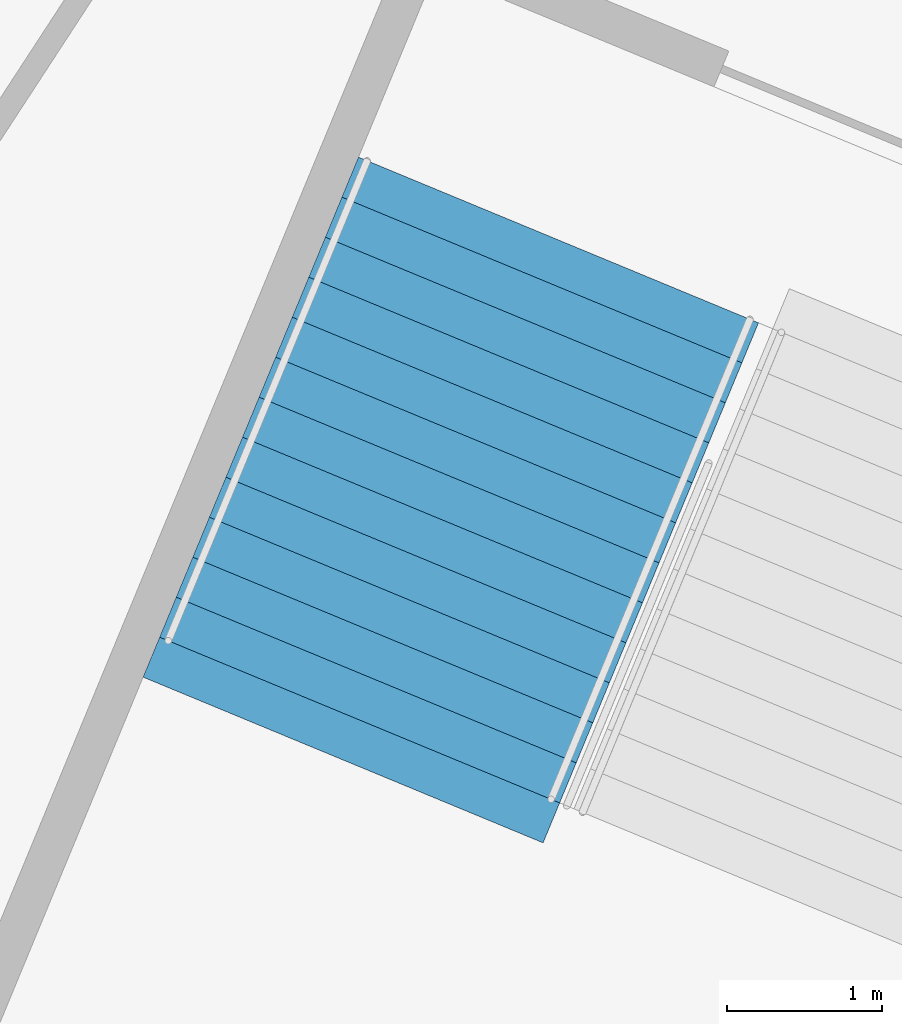
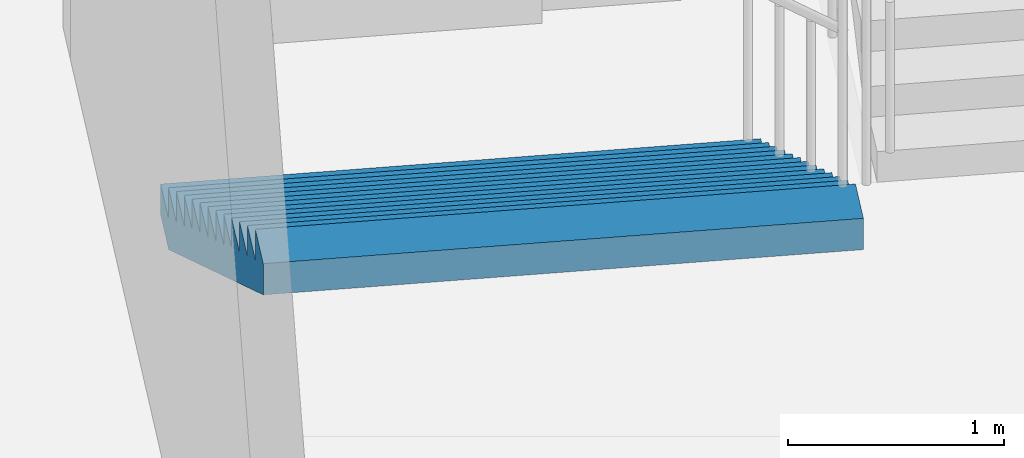
# One storey, part 45 of 175: 1 stair flight, 1 element without a shape of its own.
"""IFC4 building model written with IfcOpenShell, lengths in metres."""

from ifc_helpers import new_model, si_unit, direction, frame, origin, place, context, subcontext, project, spatial, faceted_brep, material, type_object, element, aggregate, save


model = new_model("IFC4")

# Units and contexts
model_context = context("Model", 3, precision=1e-05, world=origin(), true_north=direction((0.0, 1.0)))
body_context = subcontext(model_context, "Body", "Model", "MODEL_VIEW")
ifc_project = project(units=[si_unit("LENGTHUNIT", "METRE"), si_unit("AREAUNIT", "SQUARE_METRE"), si_unit("VOLUMEUNIT", "CUBIC_METRE"), si_unit("PLANEANGLEUNIT", "RADIAN"), si_unit("MASSUNIT", "GRAM", prefix="KILO")], contexts=[model_context])

# Site, building, storey
site_placement = place(None, origin())
site = spatial("IfcSite", under=ifc_project, at=site_placement, CompositionType="ELEMENT")
building_placement = place(site_placement, origin())
building = spatial("IfcBuilding", under=site, at=building_placement, Name="Ogive Plaza Stadium", CompositionType="ELEMENT")
storey_placement = place(building_placement, origin())
storey = spatial("IfcBuildingStorey", under=building, at=storey_placement, Name="L00", CompositionType="ELEMENT", Elevation=0.0)

# Stair, stair flight
ifc_material_1 = material(Name="Concrete C40/50", Category="concrete")
stair_type = type_object("IfcStairType", Name="Exit stair", PredefinedType="STRAIGHT_RUN_STAIR", material=ifc_material_1)
stair_placement = place(storey_placement, origin())
stair = element("IfcStair", 1, at=stair_placement, inside=storey, type_object=stair_type, Name="Exit stair ST18A L00 to L01", PredefinedType="STRAIGHT_RUN_STAIR")
ifc_material_2 = material(Name="Concrete C40/50", Category="concrete")
stair_flight_type = type_object("IfcStairFlightType", Name="Exit stair flight", PredefinedType="STRAIGHT", material=ifc_material_2)
stair_flight_placement = place(storey_placement, frame((-54.294921875, -89.932861328125, 0.0), z_axis=(0.0, 0.0, 1.0), x_axis=(-0.382683432365, -0.923879532511, 0.0)))
stair_flight = element("IfcStairFlight", 2, at=stair_flight_placement, type_object=stair_flight_type, Name="ST18A flight 1", NumberOfRisers=13, NumberOfTreads=12, PredefinedType="STRAIGHT", RiserHeight=0.173076923, TreadLength=0.28, context=body_context, shape_type="Brep", body=[
    faceted_brep([(0.28515625, -1.39990234375, 0.0), (3.639892578125, -1.39990234375, 2.07373046875), (3.639892578125, -1.39990234375, 2.25), (3.360107421875, -1.39990234375, 2.25), (3.360107421875, -1.39990234375, 2.076904296875), (3.080078125, -1.39990234375, 2.076904296875), (3.080078125, -1.39990234375, 1.90380859375), (2.800048828125, -1.39990234375, 1.90380859375), (2.800048828125, -1.39990234375, 1.730712890625), (2.52001953125, -1.39990234375, 1.730712890625), (2.52001953125, -1.39990234375, 1.5576171875), (2.239990234375, -1.39990234375, 1.5576171875), (2.239990234375, -1.39990234375, 1.384521484375), (1.9599609375, -1.39990234375, 1.384521484375), (1.9599609375, -1.39990234375, 1.21142578125), (1.679931640625, -1.39990234375, 1.21142578125), (1.679931640625, -1.39990234375, 1.03857421875), (1.39990234375, -1.39990234375, 1.03857421875), (1.39990234375, -1.39990234375, 0.865478515625), (1.1201171875, -1.39990234375, 0.865478515625), (1.1201171875, -1.39990234375, 0.6923828125), (0.840087890625, -1.39990234375, 0.6923828125), (0.840087890625, -1.39990234375, 0.519287109375), (0.56005859375, -1.39990234375, 0.519287109375), (0.56005859375, -1.39990234375, 0.34619140625), (0.280029296875, -1.39990234375, 0.34619140625), (0.280029296875, -1.39990234375, 0.173095703125), (0.0, -1.39990234375, 0.173095703125), (0.0, -1.39990234375, 0.0), (0.0, 1.39990234375, 0.0), (0.0, 1.39990234375, 0.173095703125), (0.280029296875, 1.39990234375, 0.173095703125), (0.280029296875, 1.39990234375, 0.34619140625), (0.56005859375, 1.39990234375, 0.34619140625), (0.56005859375, 1.39990234375, 0.519287109375), (0.840087890625, 1.39990234375, 0.519287109375), (0.840087890625, 1.39990234375, 0.6923828125), (1.1201171875, 1.39990234375, 0.6923828125), (1.1201171875, 1.39990234375, 0.865478515625), (1.39990234375, 1.39990234375, 0.865478515625), (1.39990234375, 1.39990234375, 1.03857421875), (1.679931640625, 1.39990234375, 1.03857421875), (1.679931640625, 1.39990234375, 1.21142578125), (1.9599609375, 1.39990234375, 1.21142578125), (1.9599609375, 1.39990234375, 1.384521484375), (2.239990234375, 1.39990234375, 1.384521484375), (2.239990234375, 1.39990234375, 1.5576171875), (2.52001953125, 1.39990234375, 1.5576171875), (2.52001953125, 1.39990234375, 1.730712890625), (2.800048828125, 1.39990234375, 1.730712890625), (2.800048828125, 1.39990234375, 1.90380859375), (3.080078125, 1.39990234375, 1.90380859375), (3.080078125, 1.39990234375, 2.076904296875), (3.360107421875, 1.39990234375, 2.076904296875), (3.360107421875, 1.39990234375, 2.25), (3.639892578125, 1.39990234375, 2.25), (3.639892578125, 1.39990234375, 2.07373046875), (0.28515625, 1.39990234375, 0.0), (0.28515625, -1.0888671875, 0.0), (3.639892578125, -1.0888671875, 2.07373046875), (0.28515625, -0.77783203125, 0.0), (3.639892578125, -0.77783203125, 2.07373046875), (0.28515625, -0.466796875, 0.0), (3.639892578125, -0.466796875, 2.07373046875), (0.28515625, -0.155517578125, 0.0), (3.639892578125, -0.155517578125, 2.07373046875), (0.28515625, 0.155517578125, 0.0), (3.639892578125, 0.155517578125, 2.07373046875), (0.28515625, 0.466796875, 0.0), (3.639892578125, 0.466796875, 2.07373046875), (0.28515625, 0.77783203125, 0.0), (3.639892578125, 0.77783203125, 2.07373046875), (0.28515625, 1.0888671875, 0.0), (3.639892578125, 1.0888671875, 2.07373046875), (3.639892578125, -1.0888671875, 2.25), (3.639892578125, -0.77783203125, 2.25), (3.639892578125, -0.466796875, 2.25), (3.639892578125, -0.155517578125, 2.25), (3.639892578125, 0.155517578125, 2.25), (3.639892578125, 0.466796875, 2.25), (3.639892578125, 0.77783203125, 2.25), (3.639892578125, 1.0888671875, 2.25), (3.360107421875, -1.0888671875, 2.25), (3.360107421875, -0.77783203125, 2.25), (3.360107421875, -0.466796875, 2.25), (3.360107421875, -0.155517578125, 2.25), (3.360107421875, 0.155517578125, 2.25), (3.360107421875, 0.466796875, 2.25), (3.360107421875, 0.77783203125, 2.25), (3.360107421875, 1.0888671875, 2.25), (3.360107421875, -1.0888671875, 2.076904296875), (3.360107421875, -0.77783203125, 2.076904296875), (3.360107421875, -0.466796875, 2.076904296875), (3.360107421875, -0.155517578125, 2.076904296875), (3.360107421875, 0.155517578125, 2.076904296875), (3.360107421875, 0.466796875, 2.076904296875), (3.360107421875, 0.77783203125, 2.076904296875), (3.360107421875, 1.0888671875, 2.076904296875), (3.080078125, -1.0888671875, 2.076904296875), (3.080078125, -0.77783203125, 2.076904296875), (3.080078125, -0.466796875, 2.076904296875), (3.080078125, -0.155517578125, 2.076904296875), (3.080078125, 0.155517578125, 2.076904296875), (3.080078125, 0.466796875, 2.076904296875), (3.080078125, 0.77783203125, 2.076904296875), (3.080078125, 1.0888671875, 2.076904296875), (3.080078125, -1.0888671875, 1.90380859375), (3.080078125, -0.77783203125, 1.90380859375), (3.080078125, -0.466796875, 1.90380859375), (3.080078125, -0.155517578125, 1.90380859375), (3.080078125, 0.155517578125, 1.90380859375), (3.080078125, 0.466796875, 1.90380859375), (3.080078125, 0.77783203125, 1.90380859375), (3.080078125, 1.0888671875, 1.90380859375), (2.800048828125, -1.0888671875, 1.90380859375), (2.800048828125, -0.77783203125, 1.90380859375), (2.800048828125, -0.466796875, 1.90380859375), (2.800048828125, -0.155517578125, 1.90380859375), (2.800048828125, 0.155517578125, 1.90380859375), (2.800048828125, 0.466796875, 1.90380859375), (2.800048828125, 0.77783203125, 1.90380859375), (2.800048828125, 1.0888671875, 1.90380859375), (2.800048828125, -1.0888671875, 1.730712890625), (2.800048828125, -0.77783203125, 1.730712890625), (2.800048828125, -0.466796875, 1.730712890625), (2.800048828125, -0.155517578125, 1.730712890625), (2.800048828125, 0.155517578125, 1.730712890625), (2.800048828125, 0.466796875, 1.730712890625), (2.800048828125, 0.77783203125, 1.730712890625), (2.800048828125, 1.0888671875, 1.730712890625), (2.52001953125, -1.0888671875, 1.730712890625), (2.52001953125, -0.77783203125, 1.730712890625), (2.52001953125, -0.466796875, 1.730712890625), (2.52001953125, -0.155517578125, 1.730712890625), (2.52001953125, 0.155517578125, 1.730712890625), (2.52001953125, 0.466796875, 1.730712890625), (2.52001953125, 0.77783203125, 1.730712890625), (2.52001953125, 1.0888671875, 1.730712890625), (2.52001953125, -1.0888671875, 1.5576171875), (2.52001953125, -0.77783203125, 1.5576171875), (2.52001953125, -0.466796875, 1.5576171875), (2.52001953125, -0.155517578125, 1.5576171875), (2.52001953125, 0.155517578125, 1.5576171875), (2.52001953125, 0.466796875, 1.5576171875), (2.52001953125, 0.77783203125, 1.5576171875), (2.52001953125, 1.0888671875, 1.5576171875), (2.239990234375, -1.0888671875, 1.5576171875), (2.239990234375, -0.77783203125, 1.5576171875), (2.239990234375, -0.466796875, 1.5576171875), (2.239990234375, -0.155517578125, 1.5576171875), (2.239990234375, 0.155517578125, 1.5576171875), (2.239990234375, 0.466796875, 1.5576171875), (2.239990234375, 0.77783203125, 1.5576171875), (2.239990234375, 1.0888671875, 1.5576171875), (2.239990234375, -1.0888671875, 1.384521484375), (2.239990234375, -0.77783203125, 1.384521484375), (2.239990234375, -0.466796875, 1.384521484375), (2.239990234375, -0.155517578125, 1.384521484375), (2.239990234375, 0.155517578125, 1.384521484375), (2.239990234375, 0.466796875, 1.384521484375), (2.239990234375, 0.77783203125, 1.384521484375), (2.239990234375, 1.0888671875, 1.384521484375), (1.9599609375, -1.0888671875, 1.384521484375), (1.9599609375, -0.77783203125, 1.384521484375), (1.9599609375, -0.466796875, 1.384521484375), (1.9599609375, -0.155517578125, 1.384521484375), (1.9599609375, 0.155517578125, 1.384521484375), (1.9599609375, 0.466796875, 1.384521484375), (1.9599609375, 0.77783203125, 1.384521484375), (1.9599609375, 1.0888671875, 1.384521484375), (1.9599609375, -1.0888671875, 1.21142578125), (1.9599609375, -0.77783203125, 1.21142578125), (1.9599609375, -0.466796875, 1.21142578125), (1.9599609375, -0.155517578125, 1.21142578125), (1.9599609375, 0.155517578125, 1.21142578125), (1.9599609375, 0.466796875, 1.21142578125), (1.9599609375, 0.77783203125, 1.21142578125), (1.9599609375, 1.0888671875, 1.21142578125), (1.679931640625, -1.0888671875, 1.21142578125), (1.679931640625, -0.77783203125, 1.21142578125), (1.679931640625, -0.466796875, 1.21142578125), (1.679931640625, -0.155517578125, 1.21142578125), (1.679931640625, 0.155517578125, 1.21142578125), (1.679931640625, 0.466796875, 1.21142578125), (1.679931640625, 0.77783203125, 1.21142578125), (1.679931640625, 1.0888671875, 1.21142578125), (1.679931640625, -1.0888671875, 1.03857421875), (1.679931640625, -0.77783203125, 1.03857421875), (1.679931640625, -0.466796875, 1.03857421875), (1.679931640625, -0.155517578125, 1.03857421875), (1.679931640625, 0.155517578125, 1.03857421875), (1.679931640625, 0.466796875, 1.03857421875), (1.679931640625, 0.77783203125, 1.03857421875), (1.679931640625, 1.0888671875, 1.03857421875), (1.39990234375, -1.0888671875, 1.03857421875), (1.39990234375, -0.77783203125, 1.03857421875), (1.39990234375, -0.466796875, 1.03857421875), (1.39990234375, -0.155517578125, 1.03857421875), (1.39990234375, 0.155517578125, 1.03857421875), (1.39990234375, 0.466796875, 1.03857421875), (1.39990234375, 0.77783203125, 1.03857421875), (1.39990234375, 1.0888671875, 1.03857421875), (1.39990234375, -1.0888671875, 0.865478515625), (1.39990234375, -0.77783203125, 0.865478515625), (1.39990234375, -0.466796875, 0.865478515625), (1.39990234375, -0.155517578125, 0.865478515625), (1.39990234375, 0.155517578125, 0.865478515625), (1.39990234375, 0.466796875, 0.865478515625), (1.39990234375, 0.77783203125, 0.865478515625), (1.39990234375, 1.0888671875, 0.865478515625), (1.1201171875, -1.0888671875, 0.865478515625), (1.1201171875, -0.77783203125, 0.865478515625), (1.1201171875, -0.466796875, 0.865478515625), (1.1201171875, -0.155517578125, 0.865478515625), (1.1201171875, 0.155517578125, 0.865478515625), (1.1201171875, 0.466796875, 0.865478515625), (1.1201171875, 0.77783203125, 0.865478515625), (1.1201171875, 1.0888671875, 0.865478515625), (1.1201171875, -1.0888671875, 0.6923828125), (1.1201171875, -0.77783203125, 0.6923828125), (1.1201171875, -0.466796875, 0.6923828125), (1.1201171875, -0.155517578125, 0.6923828125), (1.1201171875, 0.155517578125, 0.6923828125), (1.1201171875, 0.466796875, 0.6923828125), (1.1201171875, 0.77783203125, 0.6923828125), (1.1201171875, 1.0888671875, 0.6923828125), (0.840087890625, -1.0888671875, 0.6923828125), (0.840087890625, -0.77783203125, 0.6923828125), (0.840087890625, -0.466796875, 0.6923828125), (0.840087890625, -0.155517578125, 0.6923828125), (0.840087890625, 0.155517578125, 0.6923828125), (0.840087890625, 0.466796875, 0.6923828125), (0.840087890625, 0.77783203125, 0.6923828125), (0.840087890625, 1.0888671875, 0.6923828125), (0.840087890625, -1.0888671875, 0.519287109375), (0.840087890625, -0.77783203125, 0.519287109375), (0.840087890625, -0.466796875, 0.519287109375), (0.840087890625, -0.155517578125, 0.519287109375), (0.840087890625, 0.155517578125, 0.519287109375), (0.840087890625, 0.466796875, 0.519287109375), (0.840087890625, 0.77783203125, 0.519287109375), (0.840087890625, 1.0888671875, 0.519287109375), (0.56005859375, -1.0888671875, 0.519287109375), (0.56005859375, -0.77783203125, 0.519287109375), (0.56005859375, -0.466796875, 0.519287109375), (0.56005859375, -0.155517578125, 0.519287109375), (0.56005859375, 0.155517578125, 0.519287109375), (0.56005859375, 0.466796875, 0.519287109375), (0.56005859375, 0.77783203125, 0.519287109375), (0.56005859375, 1.0888671875, 0.519287109375), (0.56005859375, -1.0888671875, 0.34619140625), (0.56005859375, -0.77783203125, 0.34619140625), (0.56005859375, -0.466796875, 0.34619140625), (0.56005859375, -0.155517578125, 0.34619140625), (0.56005859375, 0.155517578125, 0.34619140625), (0.56005859375, 0.466796875, 0.34619140625), (0.56005859375, 0.77783203125, 0.34619140625), (0.56005859375, 1.0888671875, 0.34619140625), (0.280029296875, -1.0888671875, 0.34619140625), (0.280029296875, -0.77783203125, 0.34619140625), (0.280029296875, -0.466796875, 0.34619140625), (0.280029296875, -0.155517578125, 0.34619140625), (0.280029296875, 0.155517578125, 0.34619140625), (0.280029296875, 0.466796875, 0.34619140625), (0.280029296875, 0.77783203125, 0.34619140625), (0.280029296875, 1.0888671875, 0.34619140625), (0.280029296875, -1.0888671875, 0.173095703125), (0.280029296875, -0.77783203125, 0.173095703125), (0.280029296875, -0.466796875, 0.173095703125), (0.280029296875, -0.155517578125, 0.173095703125), (0.280029296875, 0.155517578125, 0.173095703125), (0.280029296875, 0.466796875, 0.173095703125), (0.280029296875, 0.77783203125, 0.173095703125), (0.280029296875, 1.0888671875, 0.173095703125), (0.0, -1.0888671875, 0.173095703125), (0.0, -0.77783203125, 0.173095703125), (0.0, -0.466796875, 0.173095703125), (0.0, -0.155517578125, 0.173095703125), (0.0, 0.155517578125, 0.173095703125), (0.0, 0.466796875, 0.173095703125), (0.0, 0.77783203125, 0.173095703125), (0.0, 1.0888671875, 0.173095703125), (0.0, -1.0888671875, 0.0), (0.0, -0.77783203125, 0.0), (0.0, -0.466796875, 0.0), (0.0, -0.155517578125, 0.0), (0.0, 0.155517578125, 0.0), (0.0, 0.466796875, 0.0), (0.0, 0.77783203125, 0.0), (0.0, 1.0888671875, 0.0)], [[[0, 1, 2, 3, 4, 5, 6, 7, 8, 9, 10, 11, 12, 13, 14, 15, 16, 17, 18, 19, 20, 21, 22, 23, 24, 25, 26, 27, 28]], [[29, 30, 31, 32, 33, 34, 35, 36, 37, 38, 39, 40, 41, 42, 43, 44, 45, 46, 47, 48, 49, 50, 51, 52, 53, 54, 55, 56, 57]], [[0, 58, 59, 1]], [[58, 60, 61, 59]], [[60, 62, 63, 61]], [[62, 64, 65, 63]], [[64, 66, 67, 65]], [[66, 68, 69, 67]], [[68, 70, 71, 69]], [[70, 72, 73, 71]], [[72, 57, 56, 73]], [[1, 59, 74, 2]], [[59, 61, 75, 74]], [[61, 63, 76, 75]], [[63, 65, 77, 76]], [[65, 67, 78, 77]], [[67, 69, 79, 78]], [[69, 71, 80, 79]], [[71, 73, 81, 80]], [[73, 56, 55, 81]], [[2, 74, 82, 3]], [[74, 75, 83, 82]], [[75, 76, 84, 83]], [[76, 77, 85, 84]], [[77, 78, 86, 85]], [[78, 79, 87, 86]], [[79, 80, 88, 87]], [[80, 81, 89, 88]], [[81, 55, 54, 89]], [[3, 82, 90, 4]], [[82, 83, 91, 90]], [[83, 84, 92, 91]], [[84, 85, 93, 92]], [[85, 86, 94, 93]], [[86, 87, 95, 94]], [[87, 88, 96, 95]], [[88, 89, 97, 96]], [[89, 54, 53, 97]], [[4, 90, 98, 5]], [[90, 91, 99, 98]], [[91, 92, 100, 99]], [[92, 93, 101, 100]], [[93, 94, 102, 101]], [[94, 95, 103, 102]], [[95, 96, 104, 103]], [[96, 97, 105, 104]], [[97, 53, 52, 105]], [[5, 98, 106, 6]], [[98, 99, 107, 106]], [[99, 100, 108, 107]], [[100, 101, 109, 108]], [[101, 102, 110, 109]], [[102, 103, 111, 110]], [[103, 104, 112, 111]], [[104, 105, 113, 112]], [[105, 52, 51, 113]], [[6, 106, 114, 7]], [[106, 107, 115, 114]], [[107, 108, 116, 115]], [[108, 109, 117, 116]], [[109, 110, 118, 117]], [[110, 111, 119, 118]], [[111, 112, 120, 119]], [[112, 113, 121, 120]], [[113, 51, 50, 121]], [[7, 114, 122, 8]], [[114, 115, 123, 122]], [[115, 116, 124, 123]], [[116, 117, 125, 124]], [[117, 118, 126, 125]], [[118, 119, 127, 126]], [[119, 120, 128, 127]], [[120, 121, 129, 128]], [[121, 50, 49, 129]], [[8, 122, 130, 9]], [[122, 123, 131, 130]], [[123, 124, 132, 131]], [[124, 125, 133, 132]], [[125, 126, 134, 133]], [[126, 127, 135, 134]], [[127, 128, 136, 135]], [[128, 129, 137, 136]], [[129, 49, 48, 137]], [[9, 130, 138, 10]], [[130, 131, 139, 138]], [[131, 132, 140, 139]], [[132, 133, 141, 140]], [[133, 134, 142, 141]], [[134, 135, 143, 142]], [[135, 136, 144, 143]], [[136, 137, 145, 144]], [[137, 48, 47, 145]], [[10, 138, 146, 11]], [[138, 139, 147, 146]], [[139, 140, 148, 147]], [[140, 141, 149, 148]], [[141, 142, 150, 149]], [[142, 143, 151, 150]], [[143, 144, 152, 151]], [[144, 145, 153, 152]], [[145, 47, 46, 153]], [[11, 146, 154, 12]], [[146, 147, 155, 154]], [[147, 148, 156, 155]], [[148, 149, 157, 156]], [[149, 150, 158, 157]], [[150, 151, 159, 158]], [[151, 152, 160, 159]], [[152, 153, 161, 160]], [[153, 46, 45, 161]], [[12, 154, 162, 13]], [[154, 155, 163, 162]], [[155, 156, 164, 163]], [[156, 157, 165, 164]], [[157, 158, 166, 165]], [[158, 159, 167, 166]], [[159, 160, 168, 167]], [[160, 161, 169, 168]], [[161, 45, 44, 169]], [[13, 162, 170, 14]], [[162, 163, 171, 170]], [[163, 164, 172, 171]], [[164, 165, 173, 172]], [[165, 166, 174, 173]], [[166, 167, 175, 174]], [[167, 168, 176, 175]], [[168, 169, 177, 176]], [[169, 44, 43, 177]], [[14, 170, 178, 15]], [[170, 171, 179, 178]], [[171, 172, 180, 179]], [[172, 173, 181, 180]], [[173, 174, 182, 181]], [[174, 175, 183, 182]], [[175, 176, 184, 183]], [[176, 177, 185, 184]], [[177, 43, 42, 185]], [[15, 178, 186, 16]], [[178, 179, 187, 186]], [[179, 180, 188, 187]], [[180, 181, 189, 188]], [[181, 182, 190, 189]], [[182, 183, 191, 190]], [[183, 184, 192, 191]], [[184, 185, 193, 192]], [[185, 42, 41, 193]], [[16, 186, 194, 17]], [[186, 187, 195, 194]], [[187, 188, 196, 195]], [[188, 189, 197, 196]], [[189, 190, 198, 197]], [[190, 191, 199, 198]], [[191, 192, 200, 199]], [[192, 193, 201, 200]], [[193, 41, 40, 201]], [[17, 194, 202, 18]], [[194, 195, 203, 202]], [[195, 196, 204, 203]], [[196, 197, 205, 204]], [[197, 198, 206, 205]], [[198, 199, 207, 206]], [[199, 200, 208, 207]], [[200, 201, 209, 208]], [[201, 40, 39, 209]], [[18, 202, 210, 19]], [[202, 203, 211, 210]], [[203, 204, 212, 211]], [[204, 205, 213, 212]], [[205, 206, 214, 213]], [[206, 207, 215, 214]], [[207, 208, 216, 215]], [[208, 209, 217, 216]], [[209, 39, 38, 217]], [[19, 210, 218, 20]], [[210, 211, 219, 218]], [[211, 212, 220, 219]], [[212, 213, 221, 220]], [[213, 214, 222, 221]], [[214, 215, 223, 222]], [[215, 216, 224, 223]], [[216, 217, 225, 224]], [[217, 38, 37, 225]], [[20, 218, 226, 21]], [[218, 219, 227, 226]], [[219, 220, 228, 227]], [[220, 221, 229, 228]], [[221, 222, 230, 229]], [[222, 223, 231, 230]], [[223, 224, 232, 231]], [[224, 225, 233, 232]], [[225, 37, 36, 233]], [[21, 226, 234, 22]], [[226, 227, 235, 234]], [[227, 228, 236, 235]], [[228, 229, 237, 236]], [[229, 230, 238, 237]], [[230, 231, 239, 238]], [[231, 232, 240, 239]], [[232, 233, 241, 240]], [[233, 36, 35, 241]], [[22, 234, 242, 23]], [[234, 235, 243, 242]], [[235, 236, 244, 243]], [[236, 237, 245, 244]], [[237, 238, 246, 245]], [[238, 239, 247, 246]], [[239, 240, 248, 247]], [[240, 241, 249, 248]], [[241, 35, 34, 249]], [[23, 242, 250, 24]], [[242, 243, 251, 250]], [[243, 244, 252, 251]], [[244, 245, 253, 252]], [[245, 246, 254, 253]], [[246, 247, 255, 254]], [[247, 248, 256, 255]], [[248, 249, 257, 256]], [[249, 34, 33, 257]], [[24, 250, 258, 25]], [[250, 251, 259, 258]], [[251, 252, 260, 259]], [[252, 253, 261, 260]], [[253, 254, 262, 261]], [[254, 255, 263, 262]], [[255, 256, 264, 263]], [[256, 257, 265, 264]], [[257, 33, 32, 265]], [[25, 258, 266, 26]], [[258, 259, 267, 266]], [[259, 260, 268, 267]], [[260, 261, 269, 268]], [[261, 262, 270, 269]], [[262, 263, 271, 270]], [[263, 264, 272, 271]], [[264, 265, 273, 272]], [[265, 32, 31, 273]], [[26, 266, 274, 27]], [[266, 267, 275, 274]], [[267, 268, 276, 275]], [[268, 269, 277, 276]], [[269, 270, 278, 277]], [[270, 271, 279, 278]], [[271, 272, 280, 279]], [[272, 273, 281, 280]], [[273, 31, 30, 281]], [[27, 274, 282, 28]], [[274, 275, 283, 282]], [[275, 276, 284, 283]], [[276, 277, 285, 284]], [[277, 278, 286, 285]], [[278, 279, 287, 286]], [[279, 280, 288, 287]], [[280, 281, 289, 288]], [[281, 30, 29, 289]], [[28, 282, 58, 0]], [[282, 283, 60, 58]], [[283, 284, 62, 60]], [[284, 285, 64, 62]], [[285, 286, 66, 64]], [[286, 287, 68, 66]], [[287, 288, 70, 68]], [[288, 289, 72, 70]], [[289, 29, 57, 72]]]),
])
aggregate(stair, [stair_flight])

save(model, "model.ifc")
